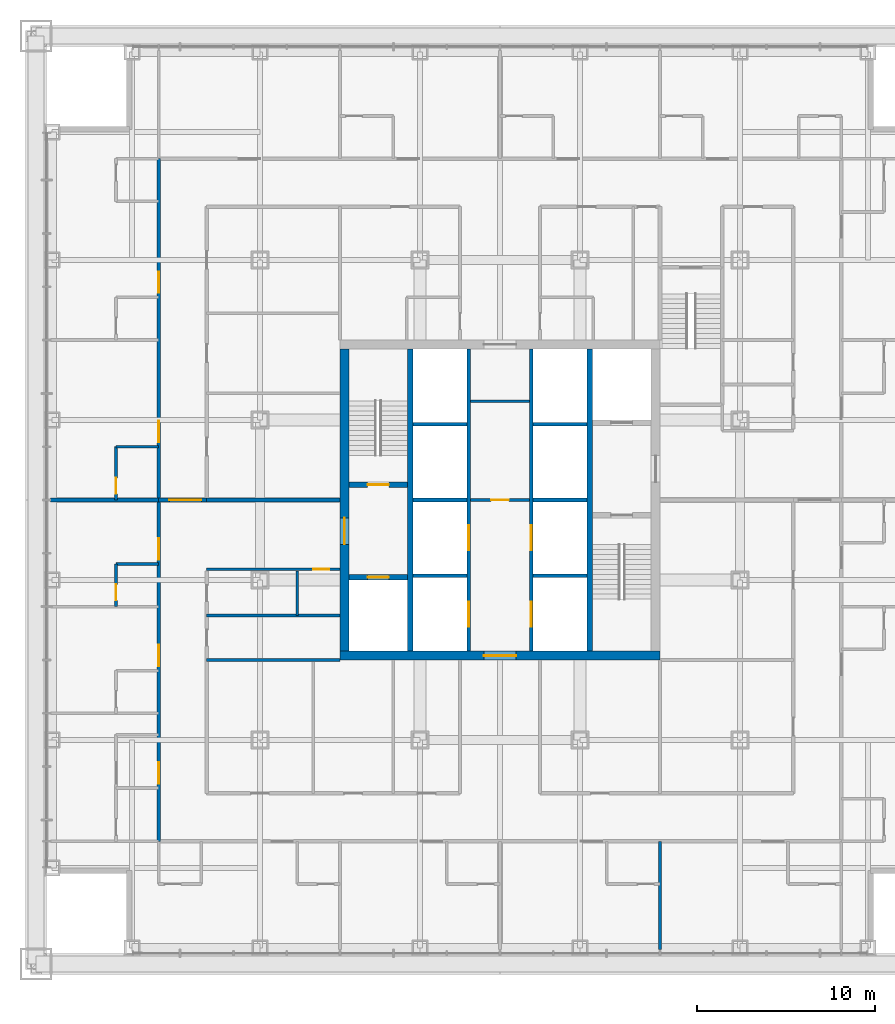
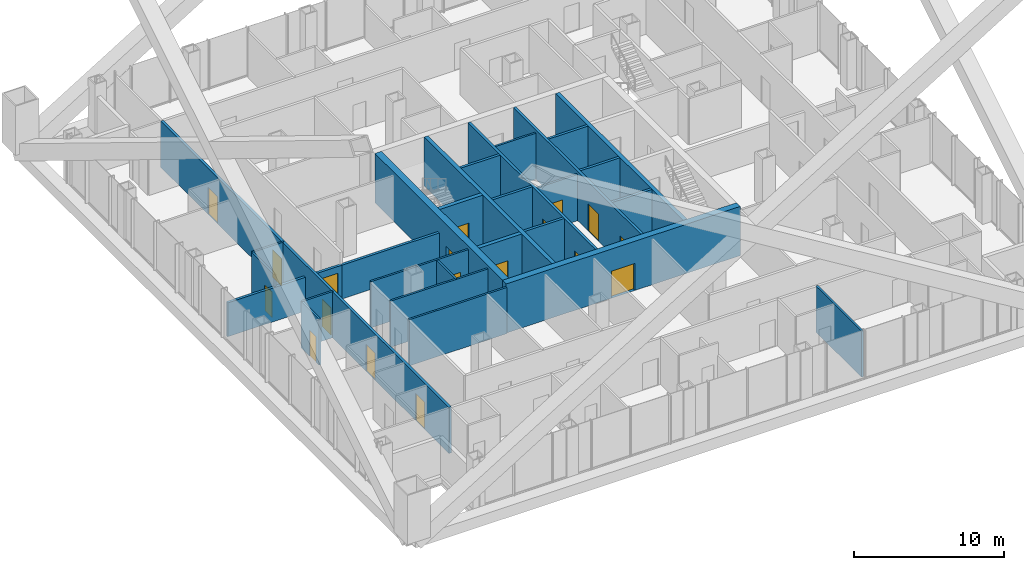
# One storey, part 13 of 21: 29 walls, 18 doors, 18 openings.
"""IFC4 building model written with IfcOpenShell, lengths in metres."""

from ifc_helpers import new_model, si_unit, direction, frame, frame_2d, origin, place, context, subcontext, project, spatial, rectangle, extrude, material, layer, layer_set, type_object, element, fill, save


model = new_model("IFC4")

# Units and contexts
model_context = context("Model", 3, precision=1e-05, world=origin(), true_north=direction((0.0, 1.0)))
body_context = subcontext(model_context, "Body", "Model", "MODEL_VIEW")
ifc_project = project(units=[si_unit("LENGTHUNIT", "METRE"), si_unit("AREAUNIT", "SQUARE_METRE"), si_unit("VOLUMEUNIT", "CUBIC_METRE"), si_unit("PLANEANGLEUNIT", "RADIAN"), si_unit("MASSUNIT", "GRAM", prefix="KILO")], contexts=[model_context])

# Site, building, storey
site_placement = place(None, origin())
site = spatial("IfcSite", under=ifc_project, at=site_placement, CompositionType="ELEMENT")
building_placement = place(site_placement, origin())
building = spatial("IfcBuilding", under=site, at=building_placement, Name="Malebo Sky Hospital", CompositionType="ELEMENT")
storey_placement = place(building_placement, frame((0.0, 0.0, 63.0)))
storey = spatial("IfcBuildingStorey", under=building, at=storey_placement, Name="L14", CompositionType="ELEMENT", Elevation=63.0)

# Wall, openings, doors
ifc_material_1 = material(Name="Concrete C80/95", Category="concrete")
ifc_layer_1 = layer(ifc_material_1, 0.199951171875)
ifc_layer_set_1 = layer_set([ifc_layer_1], Name="CORE INNER WALL 200")
wall_type_1 = type_object("IfcWallType", Name="CORE INNER WALL 200", PredefinedType="SHEAR", material=ifc_layer_set_1)
wall_1_placement = place(storey_placement, frame((58.25, 53.5, 0.0), z_axis=(0.0, 0.0, 1.0), x_axis=(0.0, 1.0, 0.0)))
wall_1 = element("IfcWall", 1, at=wall_1_placement, inside=storey, type_object=wall_type_1, Name="Core wall LW L14", PredefinedType="SHEAR", context=body_context, shape_type="SweptSolid", body=[
    extrude(rectangle(XDim=17.0, YDim=0.199951171875, at=frame_2d((8.5, 0.0))), origin(), (0.0, 0.0, 1.0), 4.0),
])
opening_1_placement = place(wall_1_placement, frame((1.375, 0.0, 0.0)))
opening_1 = element("IfcOpeningElement", 2, at=opening_1_placement, cuts=wall_1, Name="Opening LD1", PredefinedType="OPENING", context=body_context, shape_type="SweptSolid", body=[
    extrude(rectangle(XDim=1.39990234375, YDim=2.199951171875, at=frame_2d((0.699951171875, 1.10009765625))), frame((0.0, 0.10986328125, 0.0), z_axis=(0.0, -1.0, 0.0), x_axis=(1.0, 0.0, 0.0)), (0.0, 0.0, 1.0), 0.219970703125),
])
opening_2_placement = place(wall_1_placement, frame((5.675048828125, 0.0, 0.0)))
opening_2 = element("IfcOpeningElement", 3, at=opening_2_placement, cuts=wall_1, Name="Opening LD1", PredefinedType="OPENING", context=body_context, shape_type="SweptSolid", body=[
    extrude(rectangle(XDim=1.39990234375, YDim=2.199951171875, at=frame_2d((0.699951171875, 1.10009765625))), frame((0.0, 0.10986328125, 0.0), z_axis=(0.0, -1.0, 0.0), x_axis=(1.0, 0.0, 0.0)), (0.0, 0.0, 1.0), 0.219970703125),
])
ifc_material_2 = material(Name="Stainless steel sliding landing door", Category="steel")
door_type_1 = type_object("IfcDoorType", Name="LIFT LANDING DOOR 1400", OperationType="SLIDING_TO_LEFT", PredefinedType="DOOR", material=ifc_material_2)
door_1_placement = place(opening_1_placement, origin())
door_1 = element("IfcDoor", 4, at=door_1_placement, inside=storey, type_object=door_type_1, Name="Lift W1 landing door", OperationType="SLIDING_TO_LEFT", OverallHeight=2.199951171875, OverallWidth=1.39990234375, PredefinedType="DOOR", context=body_context, shape_type="SweptSolid", body=[
    extrude(rectangle(XDim=1.39990234375, YDim=2.199951171875, at=frame_2d((0.699951171875, 1.10009765625))), frame((0.0, 0.02490234375, 0.0), z_axis=(0.0, -1.0, 0.0), x_axis=(1.0, 0.0, 0.0)), (0.0, 0.0, 1.0), 0.050048828125),
])
fill(opening_1, door_1)
door_2_placement = place(opening_2_placement, origin())
door_2 = element("IfcDoor", 5, at=door_2_placement, inside=storey, type_object=door_type_1, Name="Lift W2 landing door", OperationType="SLIDING_TO_LEFT", OverallHeight=2.199951171875, OverallWidth=1.39990234375, PredefinedType="DOOR", context=body_context, shape_type="SweptSolid", body=[
    extrude(rectangle(XDim=1.39990234375, YDim=2.199951171875, at=frame_2d((0.699951171875, 1.10009765625))), frame((0.0, 0.02490234375, 0.0), z_axis=(0.0, -1.0, 0.0), x_axis=(1.0, 0.0, 0.0)), (0.0, 0.0, 1.0), 0.050048828125),
])
fill(opening_2, door_2)

wall_2_placement = place(storey_placement, frame((61.75, 53.5, 0.0), z_axis=(0.0, 0.0, 1.0), x_axis=(0.0, 1.0, 0.0)))
wall_2 = element("IfcWall", 6, at=wall_2_placement, inside=storey, type_object=wall_type_1, Name="Core wall LE L14", PredefinedType="SHEAR", context=body_context, shape_type="SweptSolid", body=[
    extrude(rectangle(XDim=17.0, YDim=0.199951171875, at=frame_2d((8.5, 0.0))), origin(), (0.0, 0.0, 1.0), 4.0),
])
opening_3_placement = place(wall_2_placement, frame((1.375, 0.0, 0.0)))
opening_3 = element("IfcOpeningElement", 7, at=opening_3_placement, cuts=wall_2, Name="Opening LD1", PredefinedType="OPENING", context=body_context, shape_type="SweptSolid", body=[
    extrude(rectangle(XDim=1.39990234375, YDim=2.199951171875, at=frame_2d((0.699951171875, 1.10009765625))), frame((0.0, 0.10986328125, 0.0), z_axis=(0.0, -1.0, 0.0), x_axis=(1.0, 0.0, 0.0)), (0.0, 0.0, 1.0), 0.219970703125),
])
opening_4_placement = place(wall_2_placement, frame((5.675048828125, 0.0, 0.0)))
opening_4 = element("IfcOpeningElement", 8, at=opening_4_placement, cuts=wall_2, Name="Opening LD1", PredefinedType="OPENING", context=body_context, shape_type="SweptSolid", body=[
    extrude(rectangle(XDim=1.39990234375, YDim=2.199951171875, at=frame_2d((0.699951171875, 1.10009765625))), frame((0.0, 0.10986328125, 0.0), z_axis=(0.0, -1.0, 0.0), x_axis=(1.0, 0.0, 0.0)), (0.0, 0.0, 1.0), 0.219970703125),
])
door_3_placement = place(opening_3_placement, origin())
door_3 = element("IfcDoor", 9, at=door_3_placement, inside=storey, type_object=door_type_1, Name="Lift E1 landing door", OperationType="SLIDING_TO_LEFT", OverallHeight=2.199951171875, OverallWidth=1.39990234375, PredefinedType="DOOR", context=body_context, shape_type="SweptSolid", body=[
    extrude(rectangle(XDim=1.39990234375, YDim=2.199951171875, at=frame_2d((0.699951171875, 1.10009765625))), frame((0.0, 0.02490234375, 0.0), z_axis=(0.0, -1.0, 0.0), x_axis=(1.0, 0.0, 0.0)), (0.0, 0.0, 1.0), 0.050048828125),
])
fill(opening_3, door_3)
door_4_placement = place(opening_4_placement, origin())
door_4 = element("IfcDoor", 10, at=door_4_placement, inside=storey, type_object=door_type_1, Name="Lift E2 landing door", OperationType="SLIDING_TO_LEFT", OverallHeight=2.199951171875, OverallWidth=1.39990234375, PredefinedType="DOOR", context=body_context, shape_type="SweptSolid", body=[
    extrude(rectangle(XDim=1.39990234375, YDim=2.199951171875, at=frame_2d((0.699951171875, 1.10009765625))), frame((0.0, 0.02490234375, 0.0), z_axis=(0.0, -1.0, 0.0), x_axis=(1.0, 0.0, 0.0)), (0.0, 0.0, 1.0), 0.050048828125),
])
fill(opening_4, door_4)

# Walls
for number, where, z_axis, x_axis, name in (
    (11, (55.10009765625, 57.75, 0.0), (0.0, 0.0, 1.0), (1.0, 0.0, 0.0), "Core wall SW0 L14"),
    (12, (61.85009765625, 57.75, 0.0), (0.0, 0.0, 1.0), (1.0, 0.0, 0.0), "Core wall SE0 L14"),
    (13, (55.10009765625, 62.0, 0.0), (0.0, 0.0, 1.0), (1.0, 0.0, 0.0), "Core wall SW1 L14"),
    (14, (61.85009765625, 62.0, 0.0), (0.0, 0.0, 1.0), (1.0, 0.0, 0.0), "Core wall SE1 L14"),
    (15, (55.10009765625, 66.25, 0.0), (0.0, 0.0, 1.0), (1.0, 0.0, 0.0), "Core wall SW2 L14"),
    (16, (61.85009765625, 66.25, 0.0), (0.0, 0.0, 1.0), (1.0, 0.0, 0.0), "Core wall SE2 L14"),
):
    element("IfcWall", number, at=place(storey_placement, frame(where, z_axis=z_axis, x_axis=x_axis)), inside=storey, type_object=wall_type_1, Name=name, PredefinedType="SHEAR", context=body_context, shape_type="SweptSolid", body=[
        extrude(rectangle(XDim=3.0498046875, YDim=0.199951171875, at=frame_2d((1.52490234375, 0.0))), origin(), (0.0, 0.0, 1.0), 4.0),
    ])
ifc_layer_2 = layer(ifc_material_1, 0.300048828125)
ifc_layer_set_2 = layer_set([ifc_layer_2], Name="CORE INNER WALL 300")
wall_type_2 = type_object("IfcWallType", Name="CORE INNER WALL 300", PredefinedType="SHEAR", material=ifc_layer_set_2)
for number, where, z_axis, x_axis, name in (
    (17, (54.949951171875, 53.5, 0.0), (0.0, 0.0, 1.0), (0.0, 1.0, 0.0), "Core wall XW L14"),
    (18, (65.050048828125, 53.5, 0.0), (0.0, 0.0, 1.0), (0.0, 1.0, 0.0), "Core wall XE L14"),
):
    element("IfcWall", number, at=place(storey_placement, frame(where, z_axis=z_axis, x_axis=x_axis)), inside=storey, type_object=wall_type_2, Name=name, PredefinedType="SHEAR", context=body_context, shape_type="SweptSolid", body=[
        extrude(rectangle(XDim=17.0, YDim=0.300048828125, at=frame_2d((8.5, 0.0))), origin(), (0.0, 0.0, 1.0), 4.0),
    ])

# Wall, opening, door
wall_3_placement = place(storey_placement, frame((51.5, 62.85009765625, 0.0), z_axis=(0.0, 0.0, 1.0), x_axis=(1.0, 0.0, 0.0)))
wall_3 = element("IfcWall", 19, at=wall_3_placement, inside=storey, type_object=wall_type_2, Name="Core wall W1 L14", PredefinedType="SHEAR", context=body_context, shape_type="SweptSolid", body=[
    extrude(rectangle(XDim=3.300048828125, YDim=0.300048828125, at=frame_2d((1.64990234375, 0.0))), origin(), (0.0, 0.0, 1.0), 4.0),
])
opening_5_placement = place(wall_3_placement, frame((1.050048828125, 0.0, 0.0)))
opening_5 = element("IfcOpeningElement", 20, at=opening_5_placement, cuts=wall_3, Name="Opening D08", PredefinedType="OPENING", context=body_context, shape_type="SweptSolid", body=[
    extrude(rectangle(XDim=1.199951171875, YDim=2.10009765625, at=frame_2d((0.60009765625, 1.050048828125))), frame((0.0, 0.159912109375, 0.0), z_axis=(0.0, -1.0, 0.0), x_axis=(1.0, 0.0, 0.0)), (0.0, 0.0, 1.0), 0.320068359375),
])
ifc_material_3 = material(Name="Hardwood-faced door leaf in steel frame", Category="steel")
door_type_2 = type_object("IfcDoorType", Name="STAIR DOOR 1200", OperationType="SINGLE_SWING_LEFT", PredefinedType="DOOR", material=ifc_material_3)
door_5_placement = place(opening_5_placement, origin())
door_5 = element("IfcDoor", 21, at=door_5_placement, inside=storey, type_object=door_type_2, Name="Stair S1 door", OperationType="SINGLE_SWING_LEFT", OverallHeight=2.10009765625, OverallWidth=1.199951171875, PredefinedType="DOOR", context=body_context, shape_type="SweptSolid", body=[
    extrude(rectangle(XDim=1.199951171875, YDim=2.10009765625, at=frame_2d((0.60009765625, 1.050048828125))), frame((0.0, 0.02490234375, 0.0), z_axis=(0.0, -1.0, 0.0), x_axis=(1.0, 0.0, 0.0)), (0.0, 0.0, 1.0), 0.050048828125),
])
fill(opening_5, door_5)

wall_4_placement = place(storey_placement, frame((51.5, 57.64990234375, 0.0), z_axis=(0.0, 0.0, 1.0), x_axis=(1.0, 0.0, 0.0)))
wall_4 = element("IfcWall", 22, at=wall_4_placement, inside=storey, type_object=wall_type_2, Name="Core wall W2 L14", PredefinedType="SHEAR", context=body_context, shape_type="SweptSolid", body=[
    extrude(rectangle(XDim=3.300048828125, YDim=0.300048828125, at=frame_2d((1.64990234375, 0.0))), origin(), (0.0, 0.0, 1.0), 4.0),
])
opening_6_placement = place(wall_4_placement, frame((1.050048828125, 0.0, 0.0)))
opening_6 = element("IfcOpeningElement", 23, at=opening_6_placement, cuts=wall_4, Name="Opening LD2", PredefinedType="OPENING", context=body_context, shape_type="SweptSolid", body=[
    extrude(rectangle(XDim=1.199951171875, YDim=2.199951171875, at=frame_2d((0.60009765625, 1.10009765625))), frame((0.0, 0.159912109375, 0.0), z_axis=(0.0, -1.0, 0.0), x_axis=(1.0, 0.0, 0.0)), (0.0, 0.0, 1.0), 0.320068359375),
])
door_type_3 = type_object("IfcDoorType", Name="FIRE-FIGHTING LIFT LANDING DOOR 1200", OperationType="SLIDING_TO_LEFT", PredefinedType="DOOR", material=ifc_material_2)
door_6_placement = place(opening_6_placement, origin())
door_6 = element("IfcDoor", 24, at=door_6_placement, inside=storey, type_object=door_type_3, Name="Lift FL1 landing door", OperationType="SLIDING_TO_LEFT", OverallHeight=2.199951171875, OverallWidth=1.199951171875, PredefinedType="DOOR", context=body_context, shape_type="SweptSolid", body=[
    extrude(rectangle(XDim=1.199951171875, YDim=2.199951171875, at=frame_2d((0.60009765625, 1.10009765625))), frame((0.0, 0.02490234375, 0.0), z_axis=(0.0, -1.0, 0.0), x_axis=(1.0, 0.0, 0.0)), (0.0, 0.0, 1.0), 0.050048828125),
])
fill(opening_6, door_6)

ifc_layer_3 = layer(ifc_material_1, 0.5)
ifc_layer_set_3 = layer_set([ifc_layer_3], Name="CORE WALL 500")
wall_type_3 = type_object("IfcWallType", Name="CORE WALL 500", PredefinedType="SHEAR", material=ifc_layer_set_3)
wall_5_placement = place(storey_placement, frame((51.0, 53.25, 0.0), z_axis=(0.0, 0.0, 1.0), x_axis=(1.0, 0.0, 0.0)))
wall_5 = element("IfcWall", 25, at=wall_5_placement, inside=storey, type_object=wall_type_3, Name="Core wall S L14", PredefinedType="SHEAR", context=body_context, shape_type="SweptSolid", body=[
    extrude(rectangle(XDim=18.0, YDim=0.5, at=frame_2d((9.0, 0.0))), origin(), (0.0, 0.0, 1.0), 4.0),
])
opening_7_placement = place(wall_5_placement, frame((8.10009765625, 0.0, 0.0)))
opening_7 = element("IfcOpeningElement", 26, at=opening_7_placement, cuts=wall_5, Name="Opening D06", PredefinedType="OPENING", context=body_context, shape_type="SweptSolid", body=[
    extrude(rectangle(XDim=1.800048828125, YDim=2.199951171875, at=frame_2d((0.89990234375, 1.10009765625))), frame((0.0, 0.260009765625, 0.0), z_axis=(0.0, -1.0, 0.0), x_axis=(1.0, 0.0, 0.0)), (0.0, 0.0, 1.0), 0.52001953125),
])
door_type_4 = type_object("IfcDoorType", Name="LOBBY DOOR PAIR 1800", OperationType="DOUBLE_DOOR_SINGLE_SWING", PredefinedType="DOOR", material=ifc_material_3)
door_7_placement = place(opening_7_placement, origin())
door_7 = element("IfcDoor", 27, at=door_7_placement, inside=storey, type_object=door_type_4, Name="Lift lobby door south", OperationType="DOUBLE_DOOR_SINGLE_SWING", OverallHeight=2.199951171875, OverallWidth=1.800048828125, PredefinedType="DOOR", context=body_context, shape_type="SweptSolid", body=[
    extrude(rectangle(XDim=1.800048828125, YDim=2.199951171875, at=frame_2d((0.89990234375, 1.10009765625))), frame((0.0, 0.02490234375, 0.0), z_axis=(0.0, -1.0, 0.0), x_axis=(1.0, 0.0, 0.0)), (0.0, 0.0, 1.0), 0.050048828125),
])
fill(opening_7, door_7)

wall_6_placement = place(storey_placement, frame((51.25, 53.5, 0.0), z_axis=(0.0, 0.0, 1.0), x_axis=(0.0, 1.0, 0.0)))
wall_6 = element("IfcWall", 28, at=wall_6_placement, inside=storey, type_object=wall_type_3, Name="Core wall W L14", PredefinedType="SHEAR", context=body_context, shape_type="SweptSolid", body=[
    extrude(rectangle(XDim=17.0, YDim=0.5, at=frame_2d((8.5, 0.0))), origin(), (0.0, 0.0, 1.0), 4.0),
])
opening_8_placement = place(wall_6_placement, frame((6.0, 0.0, 0.0)))
opening_8 = element("IfcOpeningElement", 29, at=opening_8_placement, cuts=wall_6, Name="Opening D07", PredefinedType="OPENING", context=body_context, shape_type="SweptSolid", body=[
    extrude(rectangle(XDim=1.5, YDim=2.199951171875, at=frame_2d((0.75, 1.10009765625))), frame((0.0, 0.260009765625, 0.0), z_axis=(0.0, -1.0, 0.0), x_axis=(1.0, 0.0, 0.0)), (0.0, 0.0, 1.0), 0.52001953125),
])
door_type_5 = type_object("IfcDoorType", Name="FIRE-FIGHTING LOBBY DOOR PAIR 1500", OperationType="DOUBLE_DOOR_SINGLE_SWING", PredefinedType="DOOR", material=ifc_material_3)
door_8_placement = place(opening_8_placement, origin())
door_8 = element("IfcDoor", 30, at=door_8_placement, inside=storey, type_object=door_type_5, Name="Fire-fighting lobby door west", OperationType="DOUBLE_DOOR_SINGLE_SWING", OverallHeight=2.199951171875, OverallWidth=1.5, PredefinedType="DOOR", context=body_context, shape_type="SweptSolid", body=[
    extrude(rectangle(XDim=1.5, YDim=2.199951171875, at=frame_2d((0.75, 1.10009765625))), frame((0.0, 0.02490234375, 0.0), z_axis=(0.0, -1.0, 0.0), x_axis=(1.0, 0.0, 0.0)), (0.0, 0.0, 1.0), 0.050048828125),
])
fill(opening_8, door_8)

# Wall, openings, doors
ifc_material_4 = material(Name="Gypsum board on steel studs", Category="steel")
ifc_layer_4 = layer(ifc_material_4, 0.199951171875)
ifc_layer_set_4 = layer_set([ifc_layer_4], Name="CORRIDOR WALL 200")
wall_type_4 = type_object("IfcWallType", Name="CORRIDOR WALL 200", PredefinedType="PARTITIONING", material=ifc_layer_set_4)
wall_7_placement = place(storey_placement, frame((40.800048828125, 42.800048828125, 0.0), z_axis=(0.0, 0.0, 1.0), x_axis=(0.0, 1.0, 0.0)))
wall_7 = element("IfcWall", 31, at=wall_7_placement, inside=storey, type_object=wall_type_4, Name="Corridor Wall 200 WCO", PredefinedType="PARTITIONING", context=body_context, shape_type="SweptSolid", body=[
    extrude(rectangle(XDim=38.39990234375, YDim=0.199951171875, at=frame_2d((19.199951171875, 0.0))), origin(), (0.0, 0.0, 1.0), 3.75),
])
opening_9_placement = place(wall_7_placement, frame((3.25, 0.0, 0.0)))
opening_9 = element("IfcOpeningElement", 32, at=opening_9_placement, cuts=wall_7, Name="Opening D18", PredefinedType="OPENING", context=body_context, shape_type="SweptSolid", body=[
    extrude(rectangle(XDim=1.199951171875, YDim=2.199951171875, at=frame_2d((0.60009765625, 1.10009765625))), frame((0.0, 0.10986328125, 0.0), z_axis=(0.0, -1.0, 0.0), x_axis=(1.0, 0.0, 0.0)), (0.0, 0.0, 1.0), 0.219970703125),
])
opening_10_placement = place(wall_7_placement, frame((9.85009765625, 0.0, 0.0)))
opening_10 = element("IfcOpeningElement", 33, at=opening_10_placement, cuts=wall_7, Name="Opening D01", PredefinedType="OPENING", context=body_context, shape_type="SweptSolid", body=[
    extrude(rectangle(XDim=1.199951171875, YDim=2.199951171875, at=frame_2d((0.60009765625, 1.10009765625))), frame((0.0, 0.10986328125, 0.0), z_axis=(0.0, -1.0, 0.0), x_axis=(1.0, 0.0, 0.0)), (0.0, 0.0, 1.0), 0.219970703125),
])
opening_11_placement = place(wall_7_placement, frame((15.85009765625, 0.0, 0.0)))
opening_11 = element("IfcOpeningElement", 34, at=opening_11_placement, cuts=wall_7, Name="Opening D01", PredefinedType="OPENING", context=body_context, shape_type="SweptSolid", body=[
    extrude(rectangle(XDim=1.199951171875, YDim=2.199951171875, at=frame_2d((0.60009765625, 1.10009765625))), frame((0.0, 0.10986328125, 0.0), z_axis=(0.0, -1.0, 0.0), x_axis=(1.0, 0.0, 0.0)), (0.0, 0.0, 1.0), 0.219970703125),
])
opening_12_placement = place(wall_7_placement, frame((22.449951171875, 0.0, 0.0)))
opening_12 = element("IfcOpeningElement", 35, at=opening_12_placement, cuts=wall_7, Name="Opening D01", PredefinedType="OPENING", context=body_context, shape_type="SweptSolid", body=[
    extrude(rectangle(XDim=1.199951171875, YDim=2.199951171875, at=frame_2d((0.60009765625, 1.10009765625))), frame((0.0, 0.10986328125, 0.0), z_axis=(0.0, -1.0, 0.0), x_axis=(1.0, 0.0, 0.0)), (0.0, 0.0, 1.0), 0.219970703125),
])
opening_13_placement = place(wall_7_placement, frame((30.85009765625, 0.0, 0.0)))
opening_13 = element("IfcOpeningElement", 36, at=opening_13_placement, cuts=wall_7, Name="Opening D01", PredefinedType="OPENING", context=body_context, shape_type="SweptSolid", body=[
    extrude(rectangle(XDim=1.199951171875, YDim=2.199951171875, at=frame_2d((0.60009765625, 1.10009765625))), frame((0.0, 0.10986328125, 0.0), z_axis=(0.0, -1.0, 0.0), x_axis=(1.0, 0.0, 0.0)), (0.0, 0.0, 1.0), 0.219970703125),
])
door_type_6 = type_object("IfcDoorType", Name="ANTEROOM DOOR 1200", OperationType="SINGLE_SWING_LEFT", PredefinedType="DOOR", material=ifc_material_3)
door_9_placement = place(opening_9_placement, origin())
door_9 = element("IfcDoor", 37, at=door_9_placement, inside=storey, type_object=door_type_6, Name="Anteroom door", OperationType="SINGLE_SWING_LEFT", OverallHeight=2.199951171875, OverallWidth=1.199951171875, PredefinedType="DOOR", context=body_context, shape_type="SweptSolid", body=[
    extrude(rectangle(XDim=1.199951171875, YDim=2.199951171875, at=frame_2d((0.60009765625, 1.10009765625))), frame((0.0, 0.02490234375, 0.0), z_axis=(0.0, -1.0, 0.0), x_axis=(1.0, 0.0, 0.0)), (0.0, 0.0, 1.0), 0.050048828125),
])
fill(opening_9, door_9)
door_type_7 = type_object("IfcDoorType", Name="BED DOOR 1200", OperationType="SINGLE_SWING_LEFT", PredefinedType="DOOR", material=ifc_material_3)
door_10_placement = place(opening_10_placement, origin())
door_10 = element("IfcDoor", 38, at=door_10_placement, inside=storey, type_object=door_type_7, Name="Single bed room door", OperationType="SINGLE_SWING_LEFT", OverallHeight=2.199951171875, OverallWidth=1.199951171875, PredefinedType="DOOR", context=body_context, shape_type="SweptSolid", body=[
    extrude(rectangle(XDim=1.199951171875, YDim=2.199951171875, at=frame_2d((0.60009765625, 1.10009765625))), frame((0.0, 0.02490234375, 0.0), z_axis=(0.0, -1.0, 0.0), x_axis=(1.0, 0.0, 0.0)), (0.0, 0.0, 1.0), 0.050048828125),
])
fill(opening_10, door_10)
door_11_placement = place(opening_11_placement, origin())
door_11 = element("IfcDoor", 39, at=door_11_placement, inside=storey, type_object=door_type_7, Name="Single bed room door", OperationType="SINGLE_SWING_LEFT", OverallHeight=2.199951171875, OverallWidth=1.199951171875, PredefinedType="DOOR", context=body_context, shape_type="SweptSolid", body=[
    extrude(rectangle(XDim=1.199951171875, YDim=2.199951171875, at=frame_2d((0.60009765625, 1.10009765625))), frame((0.0, 0.02490234375, 0.0), z_axis=(0.0, -1.0, 0.0), x_axis=(1.0, 0.0, 0.0)), (0.0, 0.0, 1.0), 0.050048828125),
])
fill(opening_11, door_11)
door_12_placement = place(opening_12_placement, origin())
door_12 = element("IfcDoor", 40, at=door_12_placement, inside=storey, type_object=door_type_7, Name="Two-bed room door", OperationType="SINGLE_SWING_LEFT", OverallHeight=2.199951171875, OverallWidth=1.199951171875, PredefinedType="DOOR", context=body_context, shape_type="SweptSolid", body=[
    extrude(rectangle(XDim=1.199951171875, YDim=2.199951171875, at=frame_2d((0.60009765625, 1.10009765625))), frame((0.0, 0.02490234375, 0.0), z_axis=(0.0, -1.0, 0.0), x_axis=(1.0, 0.0, 0.0)), (0.0, 0.0, 1.0), 0.050048828125),
])
fill(opening_12, door_12)
door_13_placement = place(opening_13_placement, origin())
door_13 = element("IfcDoor", 41, at=door_13_placement, inside=storey, type_object=door_type_7, Name="Four-bed bay door", OperationType="SINGLE_SWING_LEFT", OverallHeight=2.199951171875, OverallWidth=1.199951171875, PredefinedType="DOOR", context=body_context, shape_type="SweptSolid", body=[
    extrude(rectangle(XDim=1.199951171875, YDim=2.199951171875, at=frame_2d((0.60009765625, 1.10009765625))), frame((0.0, 0.02490234375, 0.0), z_axis=(0.0, -1.0, 0.0), x_axis=(1.0, 0.0, 0.0)), (0.0, 0.0, 1.0), 0.050048828125),
])
fill(opening_13, door_13)

# Wall, opening, door
ifc_layer_5 = layer(ifc_material_4, 0.14990234375)
ifc_layer_set_5 = layer_set([ifc_layer_5], Name="PARTITION 150")
wall_type_5 = type_object("IfcWallType", Name="PARTITION 150", PredefinedType="PARTITIONING", material=ifc_layer_set_5)
wall_8_placement = place(storey_placement, frame((38.39990234375, 56.0, 0.0), z_axis=(0.0, 0.0, 1.0), x_axis=(0.0, 1.0, 0.0)))
wall_8 = element("IfcWall", 42, at=wall_8_placement, inside=storey, type_object=wall_type_5, Name="Partition 150 WE2F", PredefinedType="PARTITIONING", context=body_context, shape_type="SweptSolid", body=[
    extrude(rectangle(XDim=2.39990234375, YDim=0.14990234375, at=frame_2d((1.199951171875, 0.0))), origin(), (0.0, 0.0, 1.0), 3.75),
])
opening_14_placement = place(wall_8_placement, frame((0.35009765625, 0.0, 0.0)))
opening_14 = element("IfcOpeningElement", 43, at=opening_14_placement, cuts=wall_8, Name="Opening D02", PredefinedType="OPENING", context=body_context, shape_type="SweptSolid", body=[
    extrude(rectangle(XDim=0.89990234375, YDim=2.10009765625, at=frame_2d((0.449951171875, 1.050048828125))), frame((0.0, 0.0849609375, 0.0), z_axis=(0.0, -1.0, 0.0), x_axis=(1.0, 0.0, 0.0)), (0.0, 0.0, 1.0), 0.169921875),
])
door_type_8 = type_object("IfcDoorType", Name="EN-SUITE DOOR 900", OperationType="SINGLE_SWING_LEFT", PredefinedType="DOOR", material=ifc_material_3)
door_14_placement = place(opening_14_placement, origin())
door_14 = element("IfcDoor", 44, at=door_14_placement, inside=storey, type_object=door_type_8, Name="En-suite door", OperationType="SINGLE_SWING_LEFT", OverallHeight=2.10009765625, OverallWidth=0.89990234375, PredefinedType="DOOR", context=body_context, shape_type="SweptSolid", body=[
    extrude(rectangle(XDim=0.89990234375, YDim=2.10009765625, at=frame_2d((0.449951171875, 1.050048828125))), frame((0.0, 0.02490234375, 0.0), z_axis=(0.0, -1.0, 0.0), x_axis=(1.0, 0.0, 0.0)), (0.0, 0.0, 1.0), 0.050048828125),
])
fill(opening_14, door_14)

# Wall
wall_9_placement = place(storey_placement, frame((40.800048828125, 58.39990234375, 0.0), z_axis=(0.0, 0.0, 1.0), x_axis=(-1.0, 0.0, 0.0)))
element("IfcWall", 45, at=wall_9_placement, inside=storey, type_object=wall_type_5, Name="Partition 150 WE2S", PredefinedType="PARTITIONING", context=body_context, shape_type="SweptSolid", body=[
    extrude(rectangle(XDim=2.400146484375, YDim=0.14990234375, at=frame_2d((1.2001953125, 0.0))), origin(), (0.0, 0.0, 1.0), 3.75),
])

# Wall, opening, door
wall_10_placement = place(storey_placement, frame((38.39990234375, 62.0, 0.0), z_axis=(0.0, 0.0, 1.0), x_axis=(0.0, 1.0, 0.0)))
wall_10 = element("IfcWall", 46, at=wall_10_placement, inside=storey, type_object=wall_type_5, Name="Partition 150 WE3F", PredefinedType="PARTITIONING", context=body_context, shape_type="SweptSolid", body=[
    extrude(rectangle(XDim=3.0, YDim=0.14990234375, at=frame_2d((1.5, 0.0))), origin(), (0.0, 0.0, 1.0), 3.75),
])
opening_15_placement = place(wall_10_placement, frame((0.35009765625, 0.0, 0.0)))
opening_15 = element("IfcOpeningElement", 47, at=opening_15_placement, cuts=wall_10, Name="Opening D02", PredefinedType="OPENING", context=body_context, shape_type="SweptSolid", body=[
    extrude(rectangle(XDim=0.89990234375, YDim=2.10009765625, at=frame_2d((0.449951171875, 1.050048828125))), frame((0.0, 0.0849609375, 0.0), z_axis=(0.0, -1.0, 0.0), x_axis=(1.0, 0.0, 0.0)), (0.0, 0.0, 1.0), 0.169921875),
])
door_15_placement = place(opening_15_placement, origin())
door_15 = element("IfcDoor", 48, at=door_15_placement, inside=storey, type_object=door_type_8, Name="En-suite door", OperationType="SINGLE_SWING_LEFT", OverallHeight=2.10009765625, OverallWidth=0.89990234375, PredefinedType="DOOR", context=body_context, shape_type="SweptSolid", body=[
    extrude(rectangle(XDim=0.89990234375, YDim=2.10009765625, at=frame_2d((0.449951171875, 1.050048828125))), frame((0.0, 0.02490234375, 0.0), z_axis=(0.0, -1.0, 0.0), x_axis=(1.0, 0.0, 0.0)), (0.0, 0.0, 1.0), 0.050048828125),
])
fill(opening_15, door_15)

# Walls
wall_11_placement = place(storey_placement, frame((40.800048828125, 65.0, 0.0), z_axis=(0.0, 0.0, 1.0), x_axis=(-1.0, 0.0, 0.0)))
element("IfcWall", 49, at=wall_11_placement, inside=storey, type_object=wall_type_5, Name="Partition 150 WE3S", PredefinedType="PARTITIONING", context=body_context, shape_type="SweptSolid", body=[
    extrude(rectangle(XDim=2.400146484375, YDim=0.14990234375, at=frame_2d((1.2001953125, 0.0))), origin(), (0.0, 0.0, 1.0), 3.75),
])
wall_12_placement = place(storey_placement, frame((51.0, 53.0, 0.0), z_axis=(0.0, 0.0, 1.0), x_axis=(-1.0, 0.0, 0.0)))
element("IfcWall", 50, at=wall_12_placement, inside=storey, type_object=wall_type_5, Name="Partition 150 WSP0", PredefinedType="PARTITIONING", context=body_context, shape_type="SweptSolid", body=[
    extrude(rectangle(XDim=7.5, YDim=0.14990234375, at=frame_2d((3.75, 0.0))), origin(), (0.0, 0.0, 1.0), 3.75),
])

# Wall, opening, door
wall_13_placement = place(storey_placement, frame((51.0, 58.10009765625, 0.0), z_axis=(0.0, 0.0, 1.0), x_axis=(-1.0, 0.0, 0.0)))
wall_13 = element("IfcWall", 51, at=wall_13_placement, inside=storey, type_object=wall_type_5, Name="Partition 150 WSPA", PredefinedType="PARTITIONING", context=body_context, shape_type="SweptSolid", body=[
    extrude(rectangle(XDim=7.5, YDim=0.14990234375, at=frame_2d((3.75, 0.0))), origin(), (0.0, 0.0, 1.0), 3.75),
])
opening_16_placement = place(wall_13_placement, frame((0.60009765625, 0.0, 0.0)))
opening_16 = element("IfcOpeningElement", 52, at=opening_16_placement, cuts=wall_13, Name="Opening D04", PredefinedType="OPENING", context=body_context, shape_type="SweptSolid", body=[
    extrude(rectangle(XDim=0.89990234375, YDim=2.10009765625, at=frame_2d((0.449951171875, 1.050048828125))), frame((0.0, 0.0849609375, 0.0), z_axis=(0.0, -1.0, 0.0), x_axis=(1.0, 0.0, 0.0)), (0.0, 0.0, 1.0), 0.169921875),
])
door_type_9 = type_object("IfcDoorType", Name="ROOM DOOR 900", OperationType="SINGLE_SWING_LEFT", PredefinedType="DOOR", material=ifc_material_3)
door_16_placement = place(opening_16_placement, origin())
door_16 = element("IfcDoor", 53, at=door_16_placement, inside=storey, type_object=door_type_9, Name="Cleaner's room door", OperationType="SINGLE_SWING_LEFT", OverallHeight=2.10009765625, OverallWidth=0.89990234375, PredefinedType="DOOR", context=body_context, shape_type="SweptSolid", body=[
    extrude(rectangle(XDim=0.89990234375, YDim=2.10009765625, at=frame_2d((0.449951171875, 1.050048828125))), frame((0.0, 0.02490234375, 0.0), z_axis=(0.0, -1.0, 0.0), x_axis=(1.0, 0.0, 0.0)), (0.0, 0.0, 1.0), 0.050048828125),
])
fill(opening_16, door_16)

# Walls
wall_14_placement = place(storey_placement, frame((51.0, 55.5, 0.0), z_axis=(0.0, 0.0, 1.0), x_axis=(-1.0, 0.0, 0.0)))
element("IfcWall", 54, at=wall_14_placement, inside=storey, type_object=wall_type_5, Name="Partition 150 WSP-6.5", PredefinedType="PARTITIONING", context=body_context, shape_type="SweptSolid", body=[
    extrude(rectangle(XDim=7.5, YDim=0.14990234375, at=frame_2d((3.75, 0.0))), origin(), (0.0, 0.0, 1.0), 3.75),
])
wall_15_placement = place(storey_placement, frame((48.60009765625, 55.5, 0.0), z_axis=(0.0, 0.0, 1.0), x_axis=(0.0, 1.0, 0.0)))
element("IfcWall", 55, at=wall_15_placement, inside=storey, type_object=wall_type_5, Name="Partition 150 WSX1", PredefinedType="PARTITIONING", context=body_context, shape_type="SweptSolid", body=[
    extrude(rectangle(XDim=2.5, YDim=0.14990234375, at=frame_2d((1.25, 0.0))), origin(), (0.0, 0.0, 1.0), 3.75),
])
wall_16_placement = place(storey_placement, frame((69.0, 42.800048828125, 0.0), z_axis=(0.0, 0.0, 1.0), x_axis=(0.0, -1.0, 0.0)))
element("IfcWall", 56, at=wall_16_placement, inside=storey, type_object=wall_type_5, Name="Partition 150 SP-9.0", PredefinedType="PARTITIONING", context=body_context, shape_type="SweptSolid", body=[
    extrude(rectangle(XDim=6.074951171875, YDim=0.14990234375, at=frame_2d((3.03759765625, 0.0))), origin(), (0.0, 0.0, 1.0), 3.75),
])

# Wall, opening, door
wall_17_placement = place(storey_placement, frame((58.35009765625, 62.0, 0.0), z_axis=(0.0, 0.0, 1.0), x_axis=(1.0, 0.0, 0.0)))
wall_17 = element("IfcWall", 57, at=wall_17_placement, inside=storey, type_object=wall_type_5, Name="Partition 150 LBN", PredefinedType="PARTITIONING", context=body_context, shape_type="SweptSolid", body=[
    extrude(rectangle(XDim=3.2998046875, YDim=0.14990234375, at=frame_2d((1.64990234375, 0.0))), origin(), (0.0, 0.0, 1.0), 3.75),
])
opening_17_placement = place(wall_17_placement, frame((1.14990234375, 0.0, 0.0)))
opening_17 = element("IfcOpeningElement", 58, at=opening_17_placement, cuts=wall_17, Name="Opening D03", PredefinedType="OPENING", context=body_context, shape_type="SweptSolid", body=[
    extrude(rectangle(XDim=1.0, YDim=2.10009765625, at=frame_2d((0.5, 1.050048828125))), frame((0.0, 0.0849609375, 0.0), z_axis=(0.0, -1.0, 0.0), x_axis=(1.0, 0.0, 0.0)), (0.0, 0.0, 1.0), 0.169921875),
])
door_type_10 = type_object("IfcDoorType", Name="ROOM DOOR 1000", OperationType="SINGLE_SWING_LEFT", PredefinedType="DOOR", material=ifc_material_3)
door_17_placement = place(opening_17_placement, origin())
door_17 = element("IfcDoor", 59, at=door_17_placement, inside=storey, type_object=door_type_10, Name="Housekeeping store door", OperationType="SINGLE_SWING_LEFT", OverallHeight=2.10009765625, OverallWidth=1.0, PredefinedType="DOOR", context=body_context, shape_type="SweptSolid", body=[
    extrude(rectangle(XDim=1.0, YDim=2.10009765625, at=frame_2d((0.5, 1.050048828125))), frame((0.0, 0.02490234375, 0.0), z_axis=(0.0, -1.0, 0.0), x_axis=(1.0, 0.0, 0.0)), (0.0, 0.0, 1.0), 0.050048828125),
])
fill(opening_17, door_17)

# Walls
wall_18_placement = place(storey_placement, frame((58.35009765625, 67.55126953125, 0.0), z_axis=(0.0, 0.0, 1.0), x_axis=(1.0, 0.0, 0.0)))
element("IfcWall", 60, at=wall_18_placement, inside=storey, type_object=wall_type_5, Name="Partition 150 LBN1", PredefinedType="PARTITIONING", context=body_context, shape_type="SweptSolid", body=[
    extrude(rectangle(XDim=3.2998046875, YDim=0.14990234375, at=frame_2d((1.64990234375, 0.0))), origin(), (0.0, 0.0, 1.0), 3.75),
])
ifc_material_5 = material(Name="Concrete blockwork", Category="masonry")
ifc_layer_6 = layer(ifc_material_5, 0.199951171875)
ifc_layer_set_6 = layer_set([ifc_layer_6], Name="SMOKE BARRIER WALL 200")
wall_type_6 = type_object("IfcWallType", Name="SMOKE BARRIER WALL 200", PredefinedType="SOLIDWALL", material=ifc_layer_set_6)
wall_19_placement = place(storey_placement, frame((40.800048828125, 62.0, 0.0), z_axis=(0.0, 0.0, 1.0), x_axis=(-1.0, 0.0, 0.0)))
element("IfcWall", 61, at=wall_19_placement, inside=storey, type_object=wall_type_6, Name="Smoke Barrier Wall 200 WP+0.0", PredefinedType="SOLIDWALL", context=body_context, shape_type="SweptSolid", body=[
    extrude(rectangle(XDim=6.074951171875, YDim=0.199951171875, at=frame_2d((3.03759765625, 0.0))), origin(), (0.0, 0.0, 1.0), 2.75),
])
wall_20_placement = place(storey_placement, frame((51.0, 62.0, 0.0), z_axis=(0.0, 0.0, 1.0), x_axis=(-1.0, 0.0, 0.0)))
element("IfcWall", 62, at=wall_20_placement, inside=storey, type_object=wall_type_6, Name="Smoke Barrier Wall 200 WSPB", PredefinedType="SOLIDWALL", context=body_context, shape_type="SweptSolid", body=[
    extrude(rectangle(XDim=7.5, YDim=0.199951171875, at=frame_2d((3.75, 0.0))), origin(), (0.0, 0.0, 1.0), 2.75),
])

# Wall, opening, door
wall_21_placement = place(storey_placement, frame((43.5, 62.0, 0.0), z_axis=(0.0, 0.0, 1.0), x_axis=(-1.0, 0.0, 0.0)))
wall_21 = element("IfcWall", 63, at=wall_21_placement, inside=storey, type_object=wall_type_6, Name="Smoke Barrier Wall 200 WSB", PredefinedType="SOLIDWALL", context=body_context, shape_type="SweptSolid", body=[
    extrude(rectangle(XDim=2.699951171875, YDim=0.199951171875, at=frame_2d((1.35009765625, 0.0))), origin(), (0.0, 0.0, 1.0), 2.75),
])
opening_18_placement = place(wall_21_placement, frame((0.300048828125, 0.0, 0.0)))
opening_18 = element("IfcOpeningElement", 64, at=opening_18_placement, cuts=wall_21, Name="Opening D05", PredefinedType="OPENING", context=body_context, shape_type="SweptSolid", body=[
    extrude(rectangle(XDim=1.800048828125, YDim=2.199951171875, at=frame_2d((0.89990234375, 1.10009765625))), frame((0.0, 0.10986328125, 0.0), z_axis=(0.0, -1.0, 0.0), x_axis=(1.0, 0.0, 0.0)), (0.0, 0.0, 1.0), 0.219970703125),
])
door_type_11 = type_object("IfcDoorType", Name="SMOKE DOOR PAIR 1800", OperationType="DOUBLE_DOOR_DOUBLE_SWING", PredefinedType="DOOR", material=ifc_material_3)
door_18_placement = place(opening_18_placement, origin())
door_18 = element("IfcDoor", 65, at=door_18_placement, inside=storey, type_object=door_type_11, Name="Smoke compartment door pair", OperationType="DOUBLE_DOOR_DOUBLE_SWING", OverallHeight=2.199951171875, OverallWidth=1.800048828125, PredefinedType="DOOR", context=body_context, shape_type="SweptSolid", body=[
    extrude(rectangle(XDim=1.800048828125, YDim=2.199951171875, at=frame_2d((0.89990234375, 1.10009765625))), frame((0.0, 0.02490234375, 0.0), z_axis=(0.0, -1.0, 0.0), x_axis=(1.0, 0.0, 0.0)), (0.0, 0.0, 1.0), 0.050048828125),
])
fill(opening_18, door_18)

save(model, "model.ifc")
